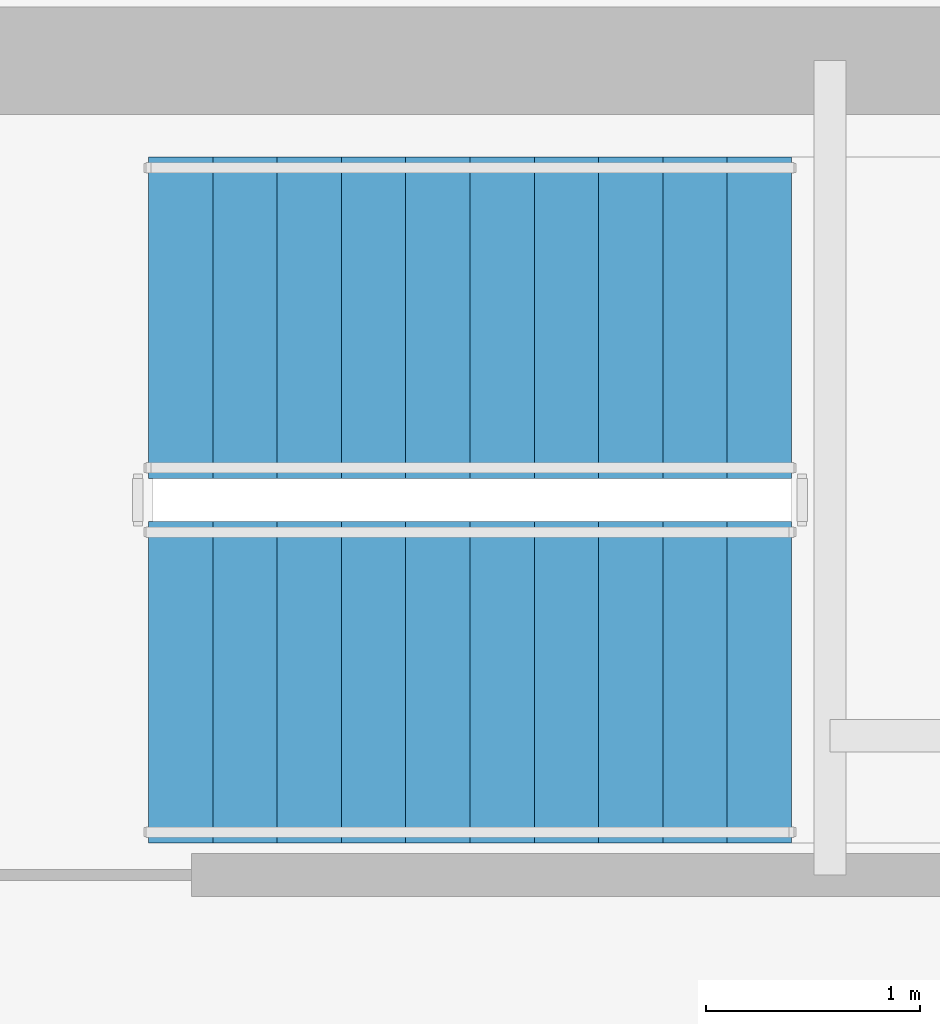
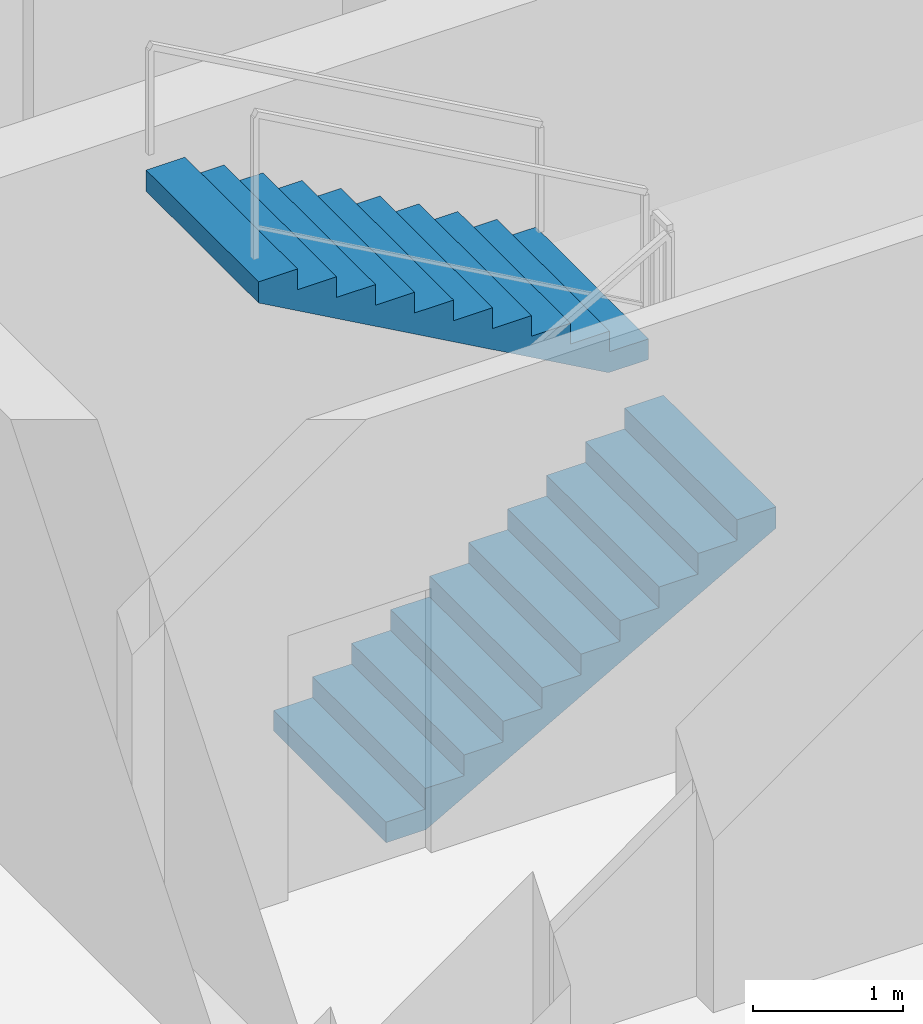
# One storey, part 7 of 9: 2 stair flights, 1 element without a shape of its own.
"""IFC4 building model written with IfcOpenShell, lengths in metres."""

from ifc_helpers import new_model, si_unit, direction, frame, origin, place, context, subcontext, project, spatial, polyline, outline, extrude, material, type_object, element, aggregate, save


model = new_model("IFC4")

# Units and contexts
model_context = context("Model", 3, precision=1e-05, world=origin(), true_north=direction((0.0, 1.0)))
body_context = subcontext(model_context, "Body", "Model", "MODEL_VIEW")
ifc_project = project(units=[si_unit("LENGTHUNIT", "METRE"), si_unit("AREAUNIT", "SQUARE_METRE"), si_unit("VOLUMEUNIT", "CUBIC_METRE"), si_unit("PLANEANGLEUNIT", "RADIAN"), si_unit("MASSUNIT", "GRAM", prefix="KILO")], contexts=[model_context])

# Site, building, storey
site_placement = place(None, origin())
site = spatial("IfcSite", under=ifc_project, at=site_placement, CompositionType="ELEMENT")
building_placement = place(site_placement, origin())
building = spatial("IfcBuilding", under=site, at=building_placement, Name="Svetorya Sky Lyceum", CompositionType="ELEMENT")
storey_placement = place(building_placement, frame((0.0, 0.0, 184.800048828125)))
storey = spatial("IfcBuildingStorey", under=building, at=storey_placement, Name="L46", CompositionType="ELEMENT", Elevation=184.800048828125)

# Stair, stair flights
ifc_material = material(Name="Concrete C40/50", Category="concrete")
stair_type = type_object("IfcStairType", Name="STR-ST-N", PredefinedType="HALF_TURN_STAIR", material=ifc_material)
stair_placement = place(storey_placement, origin())
stair = element("IfcStair", 1, at=stair_placement, inside=storey, type_object=stair_type, Name="L46 North Core Smoke-Free Exit Stair N3", PredefinedType="HALF_TURN_STAIR")
stair_flight_type = type_object("IfcStairFlightType", Name="SFL-ST-N", PredefinedType="STRAIGHT", material=ifc_material)
stair_flight_1_placement = place(storey_placement, frame((27.699951171875, 42.89990234375, 0.0), z_axis=(0.0, 0.0, 1.0), x_axis=(1.0, 0.0, 0.0)))
stair_flight_1 = element("IfcStairFlight", 2, at=stair_flight_1_placement, type_object=stair_flight_type, Name="ST-N flight 1", NumberOfRisers=11, NumberOfTreads=10, PredefinedType="STRAIGHT", RiserHeight=0.168181818, TreadLength=0.3, context=body_context, shape_type="SweptSolid", body=[
    extrude(outline(polyline([(0.0, 0.0), (0.0, 0.168212890625), (0.300048828125, 0.168212890625), (0.300048828125, 0.33642578125), (0.60009765625, 0.33642578125), (0.60009765625, 0.504638671875), (0.89990234375, 0.504638671875), (0.89990234375, 0.672607421875), (1.199951171875, 0.672607421875), (1.199951171875, 0.8408203125), (1.5, 0.8408203125), (1.5, 1.009033203125), (1.800048828125, 1.009033203125), (1.800048828125, 1.17724609375), (2.10009765625, 1.17724609375), (2.10009765625, 1.345458984375), (2.39990234375, 1.345458984375), (2.39990234375, 1.513671875), (2.699951171875, 1.513671875), (2.699951171875, 1.681884765625), (3.0, 1.681884765625), (3.0, 1.85009765625), (3.0, 1.510009765625), (0.306640625, 0.0), (0.0, 0.0)])), frame((0.0, 0.75, 0.0), z_axis=(0.0, -1.0, 0.0), x_axis=(1.0, 0.0, 0.0)), (0.0, 0.0, 1.0), 1.5),
])
stair_flight_2_placement = place(storey_placement, frame((30.699951171875, 44.60009765625, 1.849853515625), z_axis=(0.0, 0.0, 1.0), x_axis=(-1.0, 0.0, 0.0)))
stair_flight_2 = element("IfcStairFlight", 3, at=stair_flight_2_placement, type_object=stair_flight_type, Name="ST-N flight 2", NumberOfRisers=11, NumberOfTreads=10, PredefinedType="STRAIGHT", RiserHeight=0.168181818, TreadLength=0.3, context=body_context, shape_type="SweptSolid", body=[
    extrude(outline(polyline([(0.0, 0.0), (0.0, 0.168212890625), (0.300048828125, 0.168212890625), (0.300048828125, 0.33642578125), (0.60009765625, 0.33642578125), (0.60009765625, 0.504638671875), (0.89990234375, 0.504638671875), (0.89990234375, 0.672607421875), (1.199951171875, 0.672607421875), (1.199951171875, 0.8408203125), (1.5, 0.8408203125), (1.5, 1.009033203125), (1.800048828125, 1.009033203125), (1.800048828125, 1.17724609375), (2.10009765625, 1.17724609375), (2.10009765625, 1.345458984375), (2.39990234375, 1.345458984375), (2.39990234375, 1.513671875), (2.699951171875, 1.513671875), (2.699951171875, 1.681884765625), (3.0, 1.681884765625), (3.0, 1.85009765625), (3.0, 1.510009765625), (0.306640625, 0.0), (0.0, 0.0)])), frame((0.0, 0.75, 0.0), z_axis=(0.0, -1.0, 0.0), x_axis=(1.0, 0.0, 0.0)), (0.0, 0.0, 1.0), 1.5),
])
aggregate(stair, [stair_flight_1, stair_flight_2])

save(model, "model.ifc")
